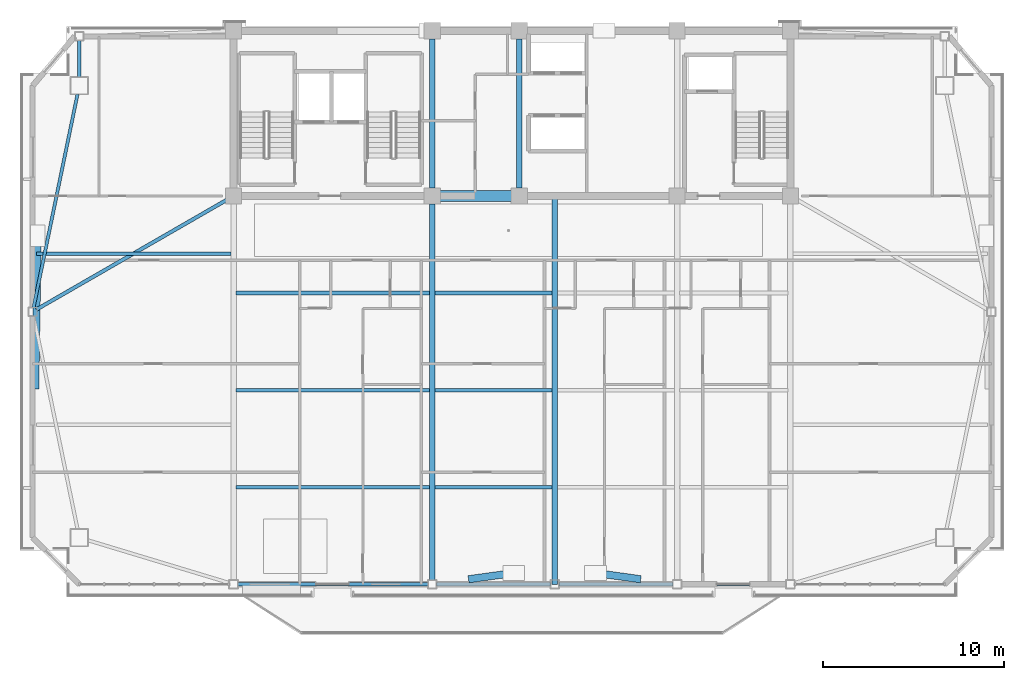
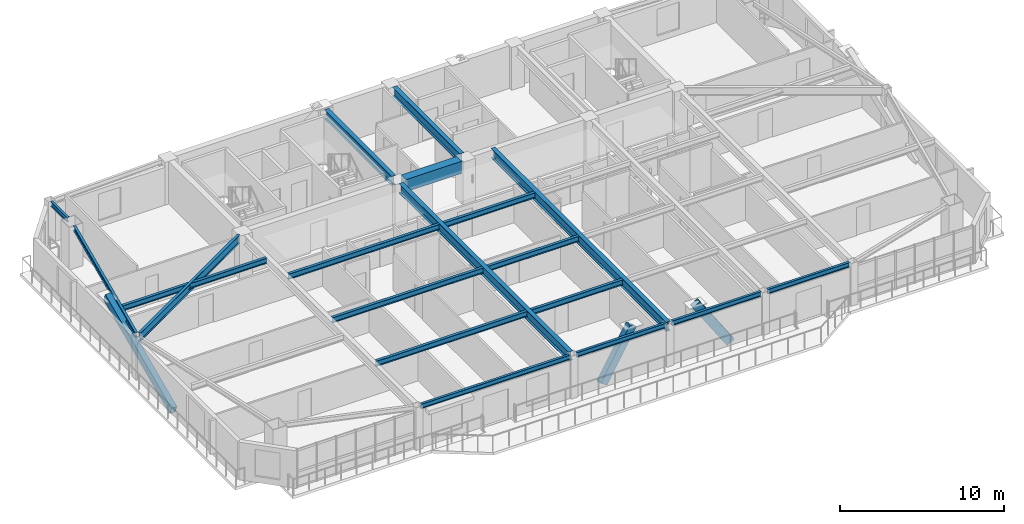
# One storey, part 3 of 18: 19 beams, 3 members.
"""IFC4 building model written with IfcOpenShell, lengths in metres."""

from ifc_helpers import new_model, si_unit, direction, frame, origin, origin_2d, place, context, subcontext, project, spatial, rectangle, hollow_rectangle, i_section, extrude, source, transform, mapped, material, material_profile, profile_set, type_object, element, save


model = new_model("IFC4")

# Units and contexts
model_context = context("Model", 3, precision=1e-05, world=origin(), true_north=direction((0.0, 1.0)))
body_context = subcontext(model_context, "Body", "Model", "MODEL_VIEW")
ifc_project = project(units=[si_unit("LENGTHUNIT", "METRE"), si_unit("AREAUNIT", "SQUARE_METRE"), si_unit("VOLUMEUNIT", "CUBIC_METRE"), si_unit("PLANEANGLEUNIT", "RADIAN"), si_unit("MASSUNIT", "GRAM", prefix="KILO")], contexts=[model_context])

# Site, building, storey
site_placement = place(None, origin())
site = spatial("IfcSite", under=ifc_project, at=site_placement, CompositionType="ELEMENT")
building_placement = place(site_placement, origin())
building = spatial("IfcBuilding", under=site, at=building_placement, Name="Giltprow Tower", CompositionType="ELEMENT")
storey_placement = place(building_placement, frame((0.0, 0.0, 262.10009765625)))
storey = spatial("IfcBuildingStorey", under=building, at=storey_placement, Name="L67", CompositionType="ELEMENT", Elevation=262.10009765625)

# Beams
ifc_material_1 = material(Name="Structural steel Q355B", Category="steel")
ifc_material_profile_1 = material_profile(ifc_material_1, i_section(OverallWidth=0.199951171875, OverallDepth=0.39990234375, WebThickness=0.008056640625, FlangeThickness=0.012939453125, at=origin_2d()), Name="HN 400x200x8x13")
ifc_profile_set_1 = profile_set([ifc_material_profile_1], Name="Structural steel Q355B")
beam_type_1 = type_object("IfcBeamType", Name="BM-JOIST-HN400", PredefinedType="JOIST", material=ifc_profile_set_1)
shared_shape_1 = source(origin(), body_context, "Body", "SweptSolid", [
    extrude(i_section(OverallWidth=0.199951171875, OverallDepth=0.39990234375, WebThickness=0.008056640625, FlangeThickness=0.012939453125, at=origin_2d()), origin(), (0.0, 0.0, 1.0), 10.659912109375),
])
for number, where, z_axis, x_axis, name in (
    (1, (19.9951171875, 21.39599609375, 2.98486328125), (1.0, 0.0, 0.0), (0.0, 1.0, 0.0), "L67 Composite Floor Joist 1-1"),
    (2, (19.9951171875, 26.748046875, 2.98486328125), (1.0, 0.0, 0.0), (0.0, 1.0, 0.0), "L67 Composite Floor Joist 2-1"),
    (3, (19.9951171875, 32.09912109375, 2.98486328125), (1.0, 0.0, 0.0), (0.0, 1.0, 0.0), "L67 Composite Floor Joist 3-1"),
):
    element("IfcBeam", number, at=place(storey_placement, frame(where, z_axis=z_axis, x_axis=x_axis)), inside=storey, type_object=beam_type_1, Name=name, PredefinedType="JOIST", context=body_context, shape_type="MappedRepresentation", body=[
        mapped(shared_shape_1, transform((0.0, 0.0, 0.0), x_axis=(1.0, 0.0, 0.0), y_axis=(0.0, 1.0, 0.0), z_axis=(0.0, 0.0, 1.0), scale=1.0)),
    ])
shared_shape_2 = source(origin(), body_context, "Body", "SweptSolid", [
    extrude(i_section(OverallWidth=0.199951171875, OverallDepth=0.39990234375, WebThickness=0.008056640625, FlangeThickness=0.012939453125, at=origin_2d()), origin(), (0.0, 0.0, 1.0), 6.4599609375),
])
for number, where, z_axis, x_axis, name in (
    (4, (30.945068359375, 21.39599609375, 2.98486328125), (1.0, 0.0, 0.0), (0.0, 1.0, 0.0), "L67 Composite Floor Joist 1-2"),
    (5, (30.945068359375, 26.748046875, 2.98486328125), (1.0, 0.0, 0.0), (0.0, 1.0, 0.0), "L67 Composite Floor Joist 2-2"),
    (6, (30.945068359375, 32.09912109375, 2.98486328125), (1.0, 0.0, 0.0), (0.0, 1.0, 0.0), "L67 Composite Floor Joist 3-2"),
):
    element("IfcBeam", number, at=place(storey_placement, frame(where, z_axis=z_axis, x_axis=x_axis)), inside=storey, type_object=beam_type_1, Name=name, PredefinedType="JOIST", context=body_context, shape_type="MappedRepresentation", body=[
        mapped(shared_shape_2, transform((0.0, 0.0, 0.0), x_axis=(1.0, 0.0, 0.0), y_axis=(0.0, 1.0, 0.0), z_axis=(0.0, 0.0, 1.0), scale=1.0)),
    ])
ifc_material_profile_2 = material_profile(ifc_material_1, i_section(OverallWidth=0.175048828125, OverallDepth=0.35009765625, WebThickness=0.007080078125, FlangeThickness=0.010986328125, at=origin_2d()), Name="HN 350x175x7x11")
ifc_profile_set_2 = profile_set([ifc_material_profile_2], Name="Structural steel Q355B")
beam_type_2 = type_object("IfcBeamType", Name="BM-SPAN-HN350", PredefinedType="SPANDREL", material=ifc_profile_set_2)
shared_shape_3 = source(origin(), body_context, "Body", "SweptSolid", [
    extrude(i_section(OverallWidth=0.175048828125, OverallDepth=0.35009765625, WebThickness=0.007080078125, FlangeThickness=0.010986328125, at=origin_2d()), origin(), (0.0, 0.0, 1.0), 10.47998046875),
])
beam_1_placement = place(storey_placement, frame((20.0849609375, 16.044921875, 3.010009765625), z_axis=(1.0, 0.0, 0.0), x_axis=(0.0, 1.0, 0.0)))
element("IfcBeam", 7, at=beam_1_placement, inside=storey, type_object=beam_type_2, Name="L67 Perimeter Spandrel Beam S1-S2", PredefinedType="SPANDREL", context=body_context, shape_type="MappedRepresentation", body=[
    mapped(shared_shape_3, transform((0.0, 0.0, 0.0), x_axis=(1.0, 0.0, 0.0), y_axis=(0.0, 1.0, 0.0), z_axis=(0.0, 0.0, 1.0), scale=1.0)),
])
shared_shape_4 = source(origin(), body_context, "Body", "SweptSolid", [
    extrude(i_section(OverallWidth=0.175048828125, OverallDepth=0.35009765625, WebThickness=0.007080078125, FlangeThickness=0.010986328125, at=origin_2d()), origin(), (0.0, 0.0, 1.0), 6.280029296875),
])
for number, where, z_axis, x_axis, name in (
    (8, (31.034912109375, 16.044921875, 3.010009765625), (1.0, 0.0, 0.0), (0.0, 1.0, 0.0), "L67 Perimeter Spandrel Beam S2-S_MID"),
    (9, (37.784912109375, 16.044921875, 3.010009765625), (1.0, 0.0, 0.0), (0.0, 1.0, 0.0), "L67 Perimeter Spandrel Beam S_MID-S3"),
):
    element("IfcBeam", number, at=place(storey_placement, frame(where, z_axis=z_axis, x_axis=x_axis)), inside=storey, type_object=beam_type_2, Name=name, PredefinedType="SPANDREL", context=body_context, shape_type="MappedRepresentation", body=[
        mapped(shared_shape_4, transform((0.0, 0.0, 0.0), x_axis=(1.0, 0.0, 0.0), y_axis=(0.0, 1.0, 0.0), z_axis=(0.0, 0.0, 1.0), scale=1.0)),
    ])
shared_shape_5 = source(origin(), body_context, "Body", "SweptSolid", [
    extrude(i_section(OverallWidth=0.175048828125, OverallDepth=0.35009765625, WebThickness=0.007080078125, FlangeThickness=0.010986328125, at=origin_2d()), origin(), (0.0, 0.0, 1.0), 5.780029296875),
])
beam_2_placement = place(storey_placement, frame((44.534912109375, 16.044921875, 3.010009765625), z_axis=(1.0, 0.0, 0.0), x_axis=(0.0, 1.0, 0.0)))
element("IfcBeam", 10, at=beam_2_placement, inside=storey, type_object=beam_type_2, Name="L67 Perimeter Spandrel Beam S3-S4", PredefinedType="SPANDREL", context=body_context, shape_type="MappedRepresentation", body=[
    mapped(shared_shape_5, transform((0.0, 0.0, 0.0), x_axis=(1.0, 0.0, 0.0), y_axis=(0.0, 1.0, 0.0), z_axis=(0.0, 0.0, 1.0), scale=1.0)),
])
shared_shape_6 = source(origin(), body_context, "Body", "SweptSolid", [
    extrude(i_section(OverallWidth=0.175048828125, OverallDepth=0.35009765625, WebThickness=0.007080078125, FlangeThickness=0.010986328125, at=origin_2d()), origin(), (0.0, 0.0, 1.0), 12.000244140625),
])
beam_3_placement = place(storey_placement, frame((11.25, 43.054931640625, 3.010009765625), z_axis=(-0.202000773979, -0.979385362006, 0.0), x_axis=(0.979385362006, -0.202000773979, 0.0)))
element("IfcBeam", 11, at=beam_3_placement, inside=storey, type_object=beam_type_2, Name="L67 Perimeter Spandrel Beam MC_NW-W_MID", PredefinedType="SPANDREL", context=body_context, shape_type="MappedRepresentation", body=[
    mapped(shared_shape_6, transform((0.0, 0.0, 0.0), x_axis=(1.0, 0.0, 0.0), y_axis=(0.0, 1.0, 0.0), z_axis=(0.0, 0.0, 1.0), scale=1.0)),
])
shared_shape_7 = source(origin(), body_context, "Body", "SweptSolid", [
    extrude(i_section(OverallWidth=0.175048828125, OverallDepth=0.35009765625, WebThickness=0.007080078125, FlangeThickness=0.010986328125, at=origin_2d()), origin(), (0.0, 0.0, 1.0), 2.0),
])
beam_4_placement = place(storey_placement, frame((11.347900390625, 46.014892578125, 3.010009765625), z_axis=(0.0, -1.0, 0.0), x_axis=(1.0, 0.0, 0.0)))
element("IfcBeam", 12, at=beam_4_placement, inside=storey, type_object=beam_type_2, Name="L67 Perimeter Spandrel Beam N_W-MC_NW", PredefinedType="SPANDREL", context=body_context, shape_type="MappedRepresentation", body=[
    mapped(shared_shape_7, transform((0.0, 0.0, 0.0), x_axis=(1.0, 0.0, 0.0), y_axis=(0.0, 1.0, 0.0), z_axis=(0.0, 0.0, 1.0), scale=1.0)),
])
ifc_material_profile_3 = material_profile(ifc_material_1, i_section(OverallWidth=0.300048828125, OverallDepth=0.699951171875, WebThickness=0.012939453125, FlangeThickness=0.02392578125, at=origin_2d()), Name="HN 700x300x13x24")
ifc_profile_set_3 = profile_set([ifc_material_profile_3], Name="Structural steel Q355B")
beam_type_3 = type_object("IfcBeamType", Name="BM-GIRD-HN700", PredefinedType="BEAM", material=ifc_profile_set_3)
shared_shape_8 = source(origin(), body_context, "Body", "SweptSolid", [
    extrude(i_section(OverallWidth=0.300048828125, OverallDepth=0.699951171875, WebThickness=0.012939453125, FlangeThickness=0.02392578125, at=origin_2d()), origin(), (0.0, 0.0, 1.0), 21.405029296875),
])
beam_5_placement = place(storey_placement, frame((37.550048828125, 16.044921875, 2.8349609375), z_axis=(0.0, 1.0, 0.0), x_axis=(-1.0, 0.0, 0.0)))
element("IfcBeam", 13, at=beam_5_placement, inside=storey, type_object=beam_type_3, Name="L67 Central Lease Girder SMID", PredefinedType="BEAM", context=body_context, shape_type="MappedRepresentation", body=[
    mapped(shared_shape_8, transform((0.0, 0.0, 0.0), x_axis=(1.0, 0.0, 0.0), y_axis=(0.0, 1.0, 0.0), z_axis=(0.0, 0.0, 1.0), scale=1.0)),
])
shared_shape_9 = source(origin(), body_context, "Body", "SweptSolid", [
    extrude(i_section(OverallWidth=0.199951171875, OverallDepth=0.39990234375, WebThickness=0.008056640625, FlangeThickness=0.012939453125, at=origin_2d()), origin(), (0.0, 0.0, 1.0), 10.7060546875),
])
beam_6_placement = place(storey_placement, frame((8.9990234375, 34.260986328125, 2.98486328125), z_axis=(1.0, 0.0, 0.0), x_axis=(0.0, 1.0, 0.0)))
element("IfcBeam", 14, at=beam_6_placement, inside=storey, type_object=beam_type_1, Name="L67 West Wing Floor Joist 2", PredefinedType="JOIST", context=body_context, shape_type="MappedRepresentation", body=[
    mapped(shared_shape_9, transform((0.0, 0.0, 0.0), x_axis=(1.0, 0.0, 0.0), y_axis=(0.0, 1.0, 0.0), z_axis=(0.0, 0.0, 1.0), scale=1.0)),
])
ifc_material_2 = material(Name="Concrete C50", Category="concrete")
ifc_material_profile_4 = material_profile(ifc_material_2, rectangle(XDim=0.60009765625, YDim=0.89990234375, at=origin_2d()), Name="RC 900x600")
ifc_profile_set_4 = profile_set([ifc_material_profile_4], Name="Concrete C50")
beam_type_4 = type_object("IfcBeamType", Name="BM-CPL-RC900", PredefinedType="LINTEL", material=ifc_profile_set_4)
shared_shape_10 = source(origin(), body_context, "Body", "SweptSolid", [
    extrude(rectangle(XDim=0.60009765625, YDim=0.89990234375, at=origin_2d()), origin(), (0.0, 0.0, 1.0), 3.929931640625),
])
beam_7_placement = place(storey_placement, frame((31.235107421875, 37.449951171875, 2.73486328125), z_axis=(1.0, 0.0, 0.0), x_axis=(0.0, 1.0, 0.0)))
element("IfcBeam", 15, at=beam_7_placement, inside=storey, type_object=beam_type_4, Name="L67 Core Coupling Beam CB-1", PredefinedType="LINTEL", context=body_context, shape_type="MappedRepresentation", body=[
    mapped(shared_shape_10, transform((0.0, 0.0, 0.0), x_axis=(1.0, 0.0, 0.0), y_axis=(0.0, 1.0, 0.0), z_axis=(0.0, 0.0, 1.0), scale=1.0)),
])
shared_shape_11 = source(origin(), body_context, "Body", "SweptSolid", [
    extrude(i_section(OverallWidth=0.300048828125, OverallDepth=0.699951171875, WebThickness=0.012939453125, FlangeThickness=0.02392578125, at=origin_2d()), origin(), (0.0, 0.0, 1.0), 8.22998046875),
])
for number, where, z_axis, x_axis, name in (
    (16, (30.800048828125, 37.885009765625, 2.8349609375), (0.0, 1.0, 0.0), (-1.0, 0.0, 0.0), "L67 Core Tie Girder M1"),
    (17, (35.60009765625, 37.885009765625, 2.8349609375), (0.0, 1.0, 0.0), (-1.0, 0.0, 0.0), "L67 Core Tie Girder M2"),
):
    element("IfcBeam", number, at=place(storey_placement, frame(where, z_axis=z_axis, x_axis=x_axis)), inside=storey, type_object=beam_type_3, Name=name, PredefinedType="BEAM", context=body_context, shape_type="MappedRepresentation", body=[
        mapped(shared_shape_11, transform((0.0, 0.0, 0.0), x_axis=(1.0, 0.0, 0.0), y_axis=(0.0, 1.0, 0.0), z_axis=(0.0, 0.0, 1.0), scale=1.0)),
    ])
shared_shape_12 = source(origin(), body_context, "Body", "SweptSolid", [
    extrude(i_section(OverallWidth=0.300048828125, OverallDepth=0.699951171875, WebThickness=0.012939453125, FlangeThickness=0.02392578125, at=origin_2d()), origin(), (0.0, 0.0, 1.0), 20.73486328125),
])
beam_8_placement = place(storey_placement, frame((30.800048828125, 16.280029296875, 2.8349609375), z_axis=(0.0, 1.0, 0.0), x_axis=(-1.0, 0.0, 0.0)))
element("IfcBeam", 18, at=beam_8_placement, inside=storey, type_object=beam_type_3, Name="L67 Primary Lease Girder S2", PredefinedType="BEAM", context=body_context, shape_type="MappedRepresentation", body=[
    mapped(shared_shape_12, transform((0.0, 0.0, 0.0), x_axis=(1.0, 0.0, 0.0), y_axis=(0.0, 1.0, 0.0), z_axis=(0.0, 0.0, 1.0), scale=1.0)),
])
ifc_material_profile_5 = material_profile(ifc_material_1, i_section(OverallWidth=0.199951171875, OverallDepth=0.60009765625, WebThickness=0.010986328125, FlangeThickness=0.01708984375, at=origin_2d()), Name="HN 600x200x11x17")
ifc_profile_set_5 = profile_set([ifc_material_profile_5], Name="Structural steel Q355B")
beam_type_5 = type_object("IfcBeamType", Name="BM-GIRD-HN600", PredefinedType="BEAM", material=ifc_profile_set_5)
shared_shape_13 = source(origin(), body_context, "Body", "SweptSolid", [
    extrude(i_section(OverallWidth=0.199951171875, OverallDepth=0.60009765625, WebThickness=0.010986328125, FlangeThickness=0.01708984375, at=origin_2d()), origin(), (0.0, 0.0, 1.0), 12.106689453125),
])
beam_9_placement = place(storey_placement, frame((8.98291015625, 31.18896484375, 2.885009765625), z_axis=(0.866470476674, 0.499228317559, 0.0), x_axis=(-0.499228317559, 0.866470476674, 0.0)))
element("IfcBeam", 19, at=beam_9_placement, inside=storey, type_object=beam_type_5, Name="L67 West Wing Primary Girder", PredefinedType="BEAM", context=body_context, shape_type="MappedRepresentation", body=[
    mapped(shared_shape_13, transform((0.0, 0.0, 0.0), x_axis=(1.0, 0.0, 0.0), y_axis=(0.0, 1.0, 0.0), z_axis=(0.0, 0.0, 1.0), scale=1.0)),
])

# Members
ifc_material_3 = material(Name="Structural steel Q420GJC", Category="steel")
ifc_material_profile_6 = material_profile(ifc_material_3, hollow_rectangle(XDim=0.39990234375, YDim=0.60009765625, WallThickness=0.028076171875, at=origin_2d()), Name="RHS 600x400x28")
ifc_profile_set_6 = profile_set([ifc_material_profile_6], Name="Structural steel Q420GJC")
member_type = type_object("IfcMemberType", Name="MBR-MEGA-RHS600", PredefinedType="BRACE", material=ifc_profile_set_6)
shared_shape_14 = source(origin(), body_context, "Body", "SweptSolid", [
    extrude(hollow_rectangle(XDim=0.39990234375, YDim=0.60009765625, WallThickness=0.028076171875, at=origin_2d()), origin(), (0.0, 0.0, 1.0), 4.0888671875),
])
for number, where, z_axis, x_axis, name in (
    (20, (33.050048828125, 16.35498046875, 0.0), (0.550278873645, 0.076069366865, 0.831508636543), (-0.136935639325, 0.990579946639, 0.0), "L67 Chevron Mega-Brace S-L"),
    (21, (42.050048828125, 16.35498046875, 0.0), (-0.550278873645, 0.076069366865, 0.831508636543), (-0.136935639325, -0.990579946639, 0.0), "L67 Chevron Mega-Brace S-R"),
):
    element("IfcMember", number, at=place(storey_placement, frame(where, z_axis=z_axis, x_axis=x_axis)), inside=storey, type_object=member_type, Name=name, PredefinedType="BRACE", context=body_context, shape_type="MappedRepresentation", body=[
        mapped(shared_shape_14, transform((0.0, 0.0, 0.0), x_axis=(1.0, 0.0, 0.0), y_axis=(0.0, 1.0, 0.0), z_axis=(0.0, 0.0, 1.0), scale=1.0)),
    ])
shared_shape_15 = source(origin(), body_context, "Body", "SweptSolid", [
    extrude(hollow_rectangle(XDim=0.39990234375, YDim=0.60009765625, WallThickness=0.028076171875, at=origin_2d()), origin(), (0.0, 0.0, 1.0), 8.989990234375),
])
member_placement = place(storey_placement, frame((8.9169921875, 26.93505859375, 0.0), z_axis=(0.015452442444, 0.925598586702, 0.3781910606), x_axis=(-0.999860675293, 0.016692213838, 0.0)))
element("IfcMember", 22, at=member_placement, inside=storey, type_object=member_type, Name="L67 Chevron Mega-Brace W-D", PredefinedType="BRACE", context=body_context, shape_type="MappedRepresentation", body=[
    mapped(shared_shape_15, transform((0.0, 0.0, 0.0), x_axis=(1.0, 0.0, 0.0), y_axis=(0.0, 1.0, 0.0), z_axis=(0.0, 0.0, 1.0), scale=1.0)),
])

save(model, "model.ifc")
